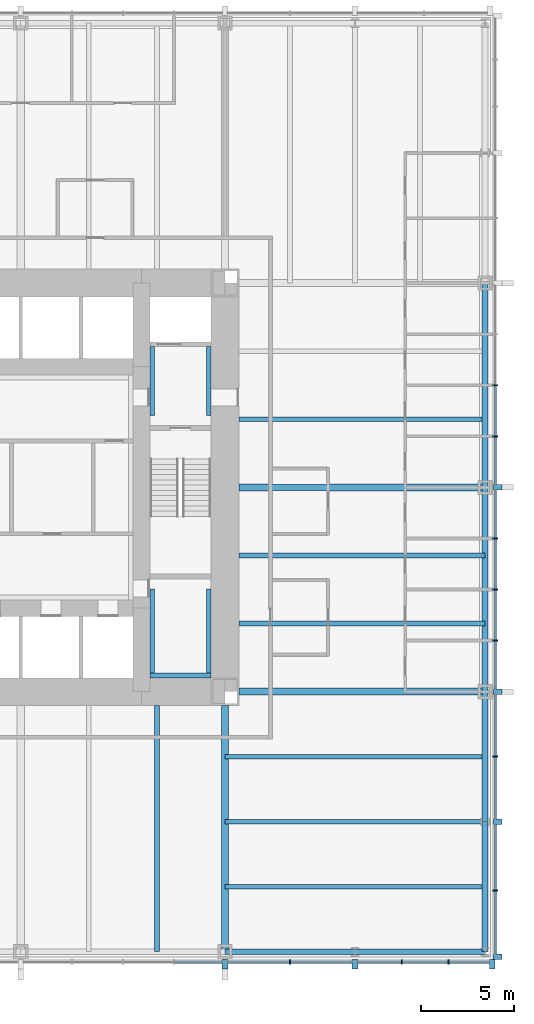
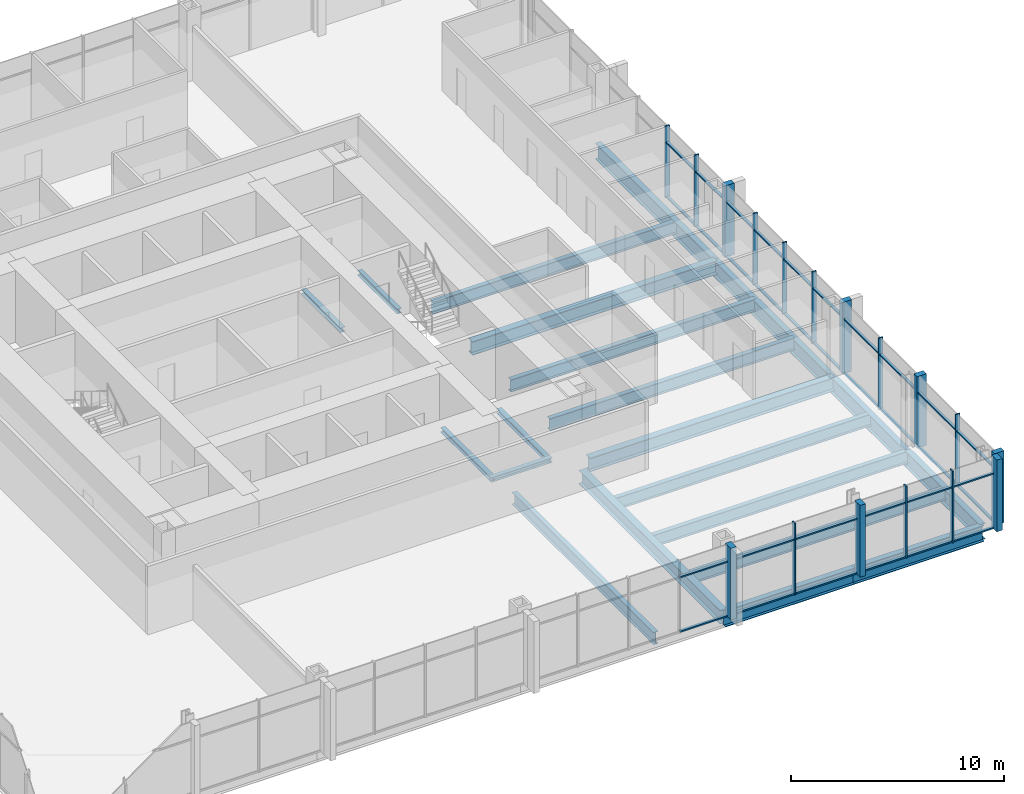
# One storey, part 4 of 12: 49 members, 21 beams, 2 elements without a shape of their own.
"""IFC4 building model written with IfcOpenShell, lengths in metres."""

import ifcopenshell
import ifcopenshell.guid

model = None  # the IFC model being written
_history = None  # IfcOwnerHistory: only IFC2X3 demands one
_inside = {}  # id of a spatial element -> (the spatial element, [elements in it])
_under = {}  # id of a project, library or spatial element -> (it, [spatial elements below it])
_declared = {}  # id of a project -> (the project, [libraries it declares])
_typed = {}  # id of a type object -> (the type object, [elements of that type])
_made_of = {}  # id of a material, layer set ... -> (it, [elements and type objects made of it])


def new_model(schema):
    """Start an empty IFC model of exactly this schema.

    Asked for "IFC4X3", IfcOpenShell would pick the latest addendum, in which some entities
    have other attributes; the version numbers below select the first issue.
    IFC2X3 requires an IfcOwnerHistory on every rooted entity: one is made here for all.
    """
    global model, _history
    if schema == "IFC4X3":
        model = ifcopenshell.file(schema_version=(4, 3, 0, 0))
    else:
        model = ifcopenshell.file(schema=schema)
    _inside.clear()
    _under.clear()
    _declared.clear()
    _typed.clear()
    _made_of.clear()
    _history = None
    if model.schema == "IFC2X3":
        org = make("IfcOrganization", Name="unknown")
        user = make(
            "IfcPersonAndOrganization",
            ThePerson=make("IfcPerson", FamilyName="unknown"),
            TheOrganization=org,
        )
        app = make(
            "IfcApplication",
            ApplicationDeveloper=org,
            Version="unknown",
            ApplicationFullName="unknown",
            ApplicationIdentifier="unknown",
        )
        _history = make(
            "IfcOwnerHistory",
            OwningUser=user,
            OwningApplication=app,
            ChangeAction="ADDED",
            CreationDate=0,
        )
    return model


def make(cls, **values):
    """One entity of the class cls with the attributes given. An attribute that is None is left unset."""
    return model.create_entity(
        cls, **{name: value for name, value in values.items() if value is not None}
    )


def rooted(cls, **values):
    """An entity with a GlobalId (a new one), such as an element, a storey or a relation."""
    return make(cls, GlobalId=ifcopenshell.guid.new(), OwnerHistory=_history, **values)


def si_unit(unit_type, name, prefix=None):
    """IfcSIUnit, for example si_unit("LENGTHUNIT", "METRE", prefix="MILLI")."""
    return make("IfcSIUnit", UnitType=unit_type, Prefix=prefix, Name=name)


def assignment(units):
    """IfcUnitAssignment: the units of a project."""
    return None if units is None else make("IfcUnitAssignment", Units=units)


def point(xyz):
    """IfcCartesianPoint."""
    return None if xyz is None else make("IfcCartesianPoint", Coordinates=xyz)


def direction(xyz):
    """IfcDirection."""
    return None if xyz is None else make("IfcDirection", DirectionRatios=xyz)


def frame(location, z_axis=None, x_axis=None):
    """IfcAxis2Placement3D, a coordinate frame: its origin and axes. An axis left out is left unset."""
    return make(
        "IfcAxis2Placement3D",
        Location=point(location),
        Axis=direction(z_axis),
        RefDirection=direction(x_axis),
    )


def frame_2d(location, x_axis=None):
    """IfcAxis2Placement2D, a coordinate frame in the plane: its origin and x axis."""
    return make(
        "IfcAxis2Placement2D", Location=point(location), RefDirection=direction(x_axis)
    )


def origin():
    """The frame at (0, 0, 0) with its axes left unset."""
    return frame((0.0, 0.0, 0.0))


def origin_2d():
    """The frame at (0, 0) in the plane with its x axis left unset."""
    return frame_2d((0.0, 0.0))


def place(relative_to, where):
    """IfcLocalPlacement: puts the frame where relative to a parent placement (None: the world)."""
    return make(
        "IfcLocalPlacement", PlacementRelTo=relative_to, RelativePlacement=where
    )


def context(
    kind, dimensions, precision=None, world=None, true_north=None, identifier=None
):
    """IfcGeometricRepresentationContext, for example the 3D "Model" context."""
    return make(
        "IfcGeometricRepresentationContext",
        ContextIdentifier=identifier,
        ContextType=kind,
        CoordinateSpaceDimension=dimensions,
        Precision=precision,
        WorldCoordinateSystem=world,
        TrueNorth=true_north,
    )


def subcontext(parent, identifier, kind, view, scale=None):
    """IfcGeometricRepresentationSubContext, for example "Body" below "Model"."""
    return make(
        "IfcGeometricRepresentationSubContext",
        ContextIdentifier=identifier,
        ContextType=kind,
        ParentContext=parent,
        TargetScale=scale,
        TargetView=view,
    )


def project(units=None, contexts=None):
    """IfcProject with its units and contexts."""
    return rooted(
        "IfcProject",
        Name="project",
        RepresentationContexts=contexts,
        UnitsInContext=assignment(units),
    )


def spatial(cls, under=None, at=None, **own):
    """A site, building, storey or space (cls), placed at a placement, below another one or the project."""
    s = rooted(cls, ObjectPlacement=at, **own)
    if under is not None:
        _under.setdefault(under.id(), (under, []))[1].append(s)
    return s


def profile(cls, at=None, kind="AREA", **sizes):
    """A parametric profile (cls). Its sizes go by their IFC names, for example OverallWidth=200.0."""
    return make(cls, ProfileType=kind, Position=at, **sizes)


def rectangle(**sizes):
    """IfcRectangleProfileDef."""
    return profile("IfcRectangleProfileDef", **sizes)


def i_section(**sizes):
    """IfcIShapeProfileDef."""
    return profile("IfcIShapeProfileDef", **sizes)


def extrude(swept, where, along, depth):
    """IfcExtrudedAreaSolid: the profile swept, set in the frame where, extruded along a direction by depth."""
    return make(
        "IfcExtrudedAreaSolid",
        SweptArea=swept,
        Position=where,
        ExtrudedDirection=direction(along),
        Depth=depth,
    )


def shape(context_of_items, identifier, shape_type, items):
    """IfcShapeRepresentation: the items that make up one representation, for example the "Body"."""
    return make(
        "IfcShapeRepresentation",
        ContextOfItems=context_of_items,
        RepresentationIdentifier=identifier,
        RepresentationType=shape_type,
        Items=items,
    )


def material(Name=None, Category=None):
    """IfcMaterial."""
    return make("IfcMaterial", Name=Name, Category=Category)


def material_profile(
    of_material, cross_section, Name=None, Category=None, Priority=None
):
    """IfcMaterialProfile: a cross section and its material."""
    return make(
        "IfcMaterialProfile",
        Name=Name,
        Material=of_material,
        Profile=cross_section,
        Priority=Priority,
        Category=Category,
    )


def profile_set(profiles, Name=None, composite=None):
    """IfcMaterialProfileSet."""
    return make(
        "IfcMaterialProfileSet",
        Name=Name,
        MaterialProfiles=profiles,
        CompositeProfile=composite,
    )


def made_of(thing, what):
    """Note that an element or type object is made of a material, layer set ...; save() writes the relation."""
    if what is not None:
        _made_of.setdefault(what.id(), (what, []))[1].append(thing)
    return thing


def type_object(cls, material=None, **own):
    """A type object (cls), such as IfcWallType, which elements share."""
    return made_of(rooted(cls, **own), material)


def element(
    cls,
    number,
    at=None,
    inside=None,
    cuts=None,
    type_object=None,
    material=None,
    context=None,
    identifier="Body",
    shape_type=None,
    held_by="IfcProductDefinitionShape",
    body=None,
    shapes=None,
    **own,
):
    """One element of the class cls, such as IfcWall. Its Tag is "e" and its number.

    at: its placement. inside: the storey or other place that contains it. cuts: it is an
    opening in that element (IfcRelVoidsElement). A single representation is given by context,
    identifier, shape_type and body (its items); several are given by shapes. held_by: the class
    of the entity that holds the representations. save() writes the other relations.
    """
    e = rooted(cls, Tag="e%d" % number, ObjectPlacement=at, **own)
    if body is not None:
        shapes = [shape(context, identifier, shape_type, body)]
    if shapes is not None:
        e.Representation = make(held_by, Representations=shapes)
    if inside is not None:
        _inside.setdefault(inside.id(), (inside, []))[1].append(e)
    if cuts is not None:
        rooted(
            "IfcRelVoidsElement", RelatingBuildingElement=cuts, RelatedOpeningElement=e
        )
    if type_object is not None:
        _typed.setdefault(type_object.id(), (type_object, []))[1].append(e)
    return made_of(e, material)


def aggregate(whole, parts):
    """IfcRelAggregates: a whole, such as a stair, and the parts it consists of."""
    return rooted("IfcRelAggregates", RelatingObject=whole, RelatedObjects=parts)


def save(model, path):
    """Write the relations noted so far, then the file.

    IfcRelAggregates (storeys below a building ...), IfcRelContainedInSpatialStructure (elements
    in a storey), IfcRelDefinesByType, IfcRelAssociatesMaterial and IfcRelDeclares: one each for
    every whole, place, type object, material and project.
    """
    for whole, parts in _under.values():
        aggregate(whole, parts)
    for where, things in _inside.values():
        rooted(
            "IfcRelContainedInSpatialStructure",
            RelatedElements=things,
            RelatingStructure=where,
        )
    for kind, things in _typed.values():
        rooted("IfcRelDefinesByType", RelatedObjects=things, RelatingType=kind)
    for what, things in _made_of.values():
        rooted("IfcRelAssociatesMaterial", RelatedObjects=things, RelatingMaterial=what)
    for by, libraries in _declared.values():
        rooted("IfcRelDeclares", RelatingContext=by, RelatedDefinitions=libraries)
    model.write(path)


model = new_model("IFC4")

# Units and contexts
model_context = context("Model", 3, precision=1e-05, world=origin(), true_north=direction((0.0, 1.0)))
body_context = subcontext(model_context, "Body", "Model", "MODEL_VIEW")
ifc_project = project(units=[si_unit("LENGTHUNIT", "METRE"), si_unit("AREAUNIT", "SQUARE_METRE"), si_unit("VOLUMEUNIT", "CUBIC_METRE"), si_unit("PLANEANGLEUNIT", "RADIAN"), si_unit("MASSUNIT", "GRAM", prefix="KILO")], contexts=[model_context])

# Site, building, storey
site_placement = place(None, origin())
site = spatial("IfcSite", under=ifc_project, at=site_placement, CompositionType="ELEMENT")
building_placement = place(site_placement, origin())
building = spatial("IfcBuilding", under=site, at=building_placement, Name="Trevanion Tower", CompositionType="ELEMENT")
storey_placement = place(building_placement, frame((0.0, 0.0, 48.800048828125)))
storey = spatial("IfcBuildingStorey", under=building, at=storey_placement, Name="L11", CompositionType="ELEMENT", Elevation=48.800048828125)

# Beams
ifc_material_1 = material(Name="Steel ASTM A992 Grade 50", Category="steel")
ifc_material_profile_1 = material_profile(ifc_material_1, i_section(OverallWidth=0.25390625, OverallDepth=0.700927734375, WebThickness=0.015380859375, FlangeThickness=0.02783203125, at=origin_2d()), Name="W27X129")
ifc_profile_set_1 = profile_set([ifc_material_profile_1], Name="Steel ASTM A992 Grade 50")
beam_type_1 = type_object("IfcBeamType", Name="B3 W27X129", PredefinedType="BEAM", material=ifc_profile_set_1)
for number, where, z_axis, x_axis, name in (
    (1, (11.75, -7.333251953125, -0.54052734375), (1.0, 0.0, 0.0), (0.0, 1.0, 0.0), "B3 L11"),
    (2, (11.75, -3.666748046875, -0.54052734375), (1.0, 0.0, 0.0), (0.0, 1.0, 0.0), "B3 L11"),
    (3, (11.75, 3.666748046875, -0.54052734375), (1.0, 0.0, 0.0), (0.0, 1.0, 0.0), "B3 L11"),
    (4, (7.333251953125, -11.75, -0.54052734375), (0.0, -1.0, 0.0), (1.0, 0.0, 0.0), "B3 L11"),
):
    element("IfcBeam", number, at=place(storey_placement, frame(where, z_axis=z_axis, x_axis=x_axis)), inside=storey, type_object=beam_type_1, Name=name, PredefinedType="BEAM", context=body_context, shape_type="SweptSolid", body=[
        extrude(i_section(OverallWidth=0.25390625, OverallDepth=0.700927734375, WebThickness=0.015380859375, FlangeThickness=0.02783203125, at=origin_2d()), origin(), (0.0, 0.0, 1.0), 13.25),
    ])
ifc_material_2 = material(Name="Steel ASTM A992 Grade 50", Category="steel")
ifc_material_profile_2 = material_profile(ifc_material_2, i_section(OverallWidth=0.256591796875, OverallDepth=0.693359375, WebThickness=0.014404296875, FlangeThickness=0.023681640625, at=origin_2d()), Name="W27X114")
ifc_profile_set_2 = profile_set([ifc_material_profile_2], Name="Steel ASTM A992 Grade 50")
beam_type_2 = type_object("IfcBeamType", Name="B4 W27X114", PredefinedType="BEAM", material=ifc_profile_set_2)
for number, where, z_axis, x_axis, name in (
    (5, (11.0, -14.5, -0.536865234375), (1.0, 0.0, 0.0), (0.0, 1.0, 0.0), "B4 L11"),
    (6, (11.0, -18.0, -0.536865234375), (1.0, 0.0, 0.0), (0.0, 1.0, 0.0), "B4 L11"),
    (7, (11.0, -21.5, -0.536865234375), (1.0, 0.0, 0.0), (0.0, 1.0, 0.0), "B4 L11"),
):
    element("IfcBeam", number, at=place(storey_placement, frame(where, z_axis=z_axis, x_axis=x_axis)), inside=storey, type_object=beam_type_2, Name=name, PredefinedType="BEAM", context=body_context, shape_type="SweptSolid", body=[
        extrude(i_section(OverallWidth=0.256591796875, OverallDepth=0.693359375, WebThickness=0.014404296875, FlangeThickness=0.023681640625, at=origin_2d()), origin(), (0.0, 0.0, 1.0), 14.0),
    ])

# Curtain wall, members
ifc_material_3 = material(Name="Aluminium and glass", Category="aluminium")
curtain_wall_type = type_object("IfcCurtainWallType", Name="CW1 curtain wall", PredefinedType="USERDEFINED", material=ifc_material_3)
curtain_wall_1_placement = place(storey_placement, origin())
curtain_wall_1 = element("IfcCurtainWall", 8, at=curtain_wall_1_placement, inside=storey, type_object=curtain_wall_type, Name="CW1 L11 0", ObjectType="UNITISED CURTAIN WALL", PredefinedType="USERDEFINED")
ifc_material_4 = material(Name="Aluminium extrusion, anodised bronze", Category="aluminium")
ifc_material_profile_3 = material_profile(ifc_material_4, rectangle(XDim=0.074951171875, YDim=0.25, at=origin_2d()), Name="CW1 mullion")
ifc_profile_set_3 = profile_set([ifc_material_profile_3], Name="Aluminium extrusion, anodised bronze")
member_type_1 = type_object("IfcMemberType", Name="CW1 mullion", PredefinedType="MULLION", material=ifc_profile_set_3)
member_1_placement = place(storey_placement, frame((25.550048828125, -21.7099609375, -0.18994140625), z_axis=(0.0, 0.0, 1.0), x_axis=(0.0, 1.0, 0.0)))
member_1 = element("IfcMember", 9, at=member_1_placement, type_object=member_type_1, Name="CW1 mullion 2", PredefinedType="MULLION", context=body_context, shape_type="SweptSolid", body=[
    extrude(rectangle(XDim=0.074951171875, YDim=0.25, at=origin_2d()), origin(), (0.0, 0.0, 1.0), 4.099853515625),
])
member_2_placement = place(storey_placement, frame((25.550048828125, -14.5, -0.18994140625), z_axis=(0.0, 0.0, 1.0), x_axis=(0.0, 1.0, 0.0)))
member_2 = element("IfcMember", 10, at=member_2_placement, type_object=member_type_1, Name="CW1 mullion 4", PredefinedType="MULLION", context=body_context, shape_type="SweptSolid", body=[
    extrude(rectangle(XDim=0.074951171875, YDim=0.25, at=origin_2d()), origin(), (0.0, 0.0, 1.0), 4.099853515625),
])
member_3_placement = place(storey_placement, frame((25.550048828125, -8.25, -0.18994140625), z_axis=(0.0, 0.0, 1.0), x_axis=(0.0, 1.0, 0.0)))
member_3 = element("IfcMember", 11, at=member_3_placement, type_object=member_type_1, Name="CW1 mullion 6", PredefinedType="MULLION", context=body_context, shape_type="SweptSolid", body=[
    extrude(rectangle(XDim=0.074951171875, YDim=0.25, at=origin_2d()), origin(), (0.0, 0.0, 1.0), 4.099853515625),
])
member_4_placement = place(storey_placement, frame((25.550048828125, -5.5, -0.18994140625), z_axis=(0.0, 0.0, 1.0), x_axis=(0.0, 1.0, 0.0)))
member_4 = element("IfcMember", 12, at=member_4_placement, type_object=member_type_1, Name="CW1 mullion 7", PredefinedType="MULLION", context=body_context, shape_type="SweptSolid", body=[
    extrude(rectangle(XDim=0.074951171875, YDim=0.25, at=origin_2d()), origin(), (0.0, 0.0, 1.0), 4.099853515625),
])
member_5_placement = place(storey_placement, frame((25.550048828125, -2.75, -0.18994140625), z_axis=(0.0, 0.0, 1.0), x_axis=(0.0, 1.0, 0.0)))
member_5 = element("IfcMember", 13, at=member_5_placement, type_object=member_type_1, Name="CW1 mullion 8", PredefinedType="MULLION", context=body_context, shape_type="SweptSolid", body=[
    extrude(rectangle(XDim=0.074951171875, YDim=0.25, at=origin_2d()), origin(), (0.0, 0.0, 1.0), 4.099853515625),
])
member_6_placement = place(storey_placement, frame((25.550048828125, 2.75, -0.18994140625), z_axis=(0.0, 0.0, 1.0), x_axis=(0.0, 1.0, 0.0)))
member_6 = element("IfcMember", 14, at=member_6_placement, type_object=member_type_1, Name="CW1 mullion 10", PredefinedType="MULLION", context=body_context, shape_type="SweptSolid", body=[
    extrude(rectangle(XDim=0.074951171875, YDim=0.25, at=origin_2d()), origin(), (0.0, 0.0, 1.0), 4.099853515625),
])
member_7_placement = place(storey_placement, frame((25.550048828125, 5.5, -0.18994140625), z_axis=(0.0, 0.0, 1.0), x_axis=(0.0, 1.0, 0.0)))
member_7 = element("IfcMember", 15, at=member_7_placement, type_object=member_type_1, Name="CW1 mullion 11", PredefinedType="MULLION", context=body_context, shape_type="SweptSolid", body=[
    extrude(rectangle(XDim=0.074951171875, YDim=0.25, at=origin_2d()), origin(), (0.0, 0.0, 1.0), 4.099853515625),
])

curtain_wall_2_placement = place(storey_placement, origin())
curtain_wall_2 = element("IfcCurtainWall", 16, at=curtain_wall_2_placement, inside=storey, type_object=curtain_wall_type, Name="CW1 L11 3", ObjectType="UNITISED CURTAIN WALL", PredefinedType="USERDEFINED")
member_8_placement = place(storey_placement, frame((14.5, -25.550048828125, -0.18994140625), z_axis=(0.0, 0.0, 1.0), x_axis=(1.0, 0.0, 0.0)))
member_8 = element("IfcMember", 17, at=member_8_placement, type_object=member_type_1, Name="CW1 mullion 14", PredefinedType="MULLION", context=body_context, shape_type="SweptSolid", body=[
    extrude(rectangle(XDim=0.074951171875, YDim=0.25, at=origin_2d()), origin(), (0.0, 0.0, 1.0), 4.099853515625),
])
member_9_placement = place(storey_placement, frame((20.5166015625, -25.550048828125, -0.18994140625), z_axis=(0.0, 0.0, 1.0), x_axis=(1.0, 0.0, 0.0)))
member_9 = element("IfcMember", 18, at=member_9_placement, type_object=member_type_1, Name="CW1 mullion 16", PredefinedType="MULLION", context=body_context, shape_type="SweptSolid", body=[
    extrude(rectangle(XDim=0.074951171875, YDim=0.25, at=origin_2d()), origin(), (0.0, 0.0, 1.0), 4.099853515625),
])
member_10_placement = place(storey_placement, frame((23.033203125, -25.550048828125, -0.18994140625), z_axis=(0.0, 0.0, 1.0), x_axis=(1.0, 0.0, 0.0)))
member_10 = element("IfcMember", 19, at=member_10_placement, type_object=member_type_1, Name="CW1 mullion 17", PredefinedType="MULLION", context=body_context, shape_type="SweptSolid", body=[
    extrude(rectangle(XDim=0.074951171875, YDim=0.25, at=origin_2d()), origin(), (0.0, 0.0, 1.0), 4.099853515625),
])

# Member
ifc_material_5 = material(Name="Aluminium extrusion, anodised bronze", Category="aluminium")
ifc_material_profile_4 = material_profile(ifc_material_5, rectangle(XDim=0.300048828125, YDim=0.5, at=origin_2d()), Name="CW1 pier mullion")
ifc_profile_set_4 = profile_set([ifc_material_profile_4], Name="Aluminium extrusion, anodised bronze")
member_type_2 = type_object("IfcMemberType", Name="CW1 pier mullion", PredefinedType="MULLION", material=ifc_profile_set_4)
member_11_placement = place(storey_placement, frame((25.675048828125, -25.27001953125, -0.18994140625), z_axis=(0.0, 0.0, 1.0), x_axis=(0.0, 1.0, 0.0)))
member_11 = element("IfcMember", 20, at=member_11_placement, type_object=member_type_2, Name="CW1 pier mullion 1", PredefinedType="MULLION", context=body_context, shape_type="SweptSolid", body=[
    extrude(rectangle(XDim=0.300048828125, YDim=0.5, at=origin_2d()), origin(), (0.0, 0.0, 1.0), 4.099853515625),
])

member_12_placement = place(storey_placement, frame((25.675048828125, -18.0, -0.18994140625), z_axis=(0.0, 0.0, 1.0), x_axis=(0.0, 1.0, 0.0)))
member_12 = element("IfcMember", 21, at=member_12_placement, type_object=member_type_2, Name="CW1 pier mullion 3", PredefinedType="MULLION", context=body_context, shape_type="SweptSolid", body=[
    extrude(rectangle(XDim=0.300048828125, YDim=0.5, at=origin_2d()), origin(), (0.0, 0.0, 1.0), 4.099853515625),
])

member_13_placement = place(storey_placement, frame((25.675048828125, -11.0, -0.18994140625), z_axis=(0.0, 0.0, 1.0), x_axis=(0.0, 1.0, 0.0)))
member_13 = element("IfcMember", 22, at=member_13_placement, type_object=member_type_2, Name="CW1 pier mullion 5", PredefinedType="MULLION", context=body_context, shape_type="SweptSolid", body=[
    extrude(rectangle(XDim=0.300048828125, YDim=0.5, at=origin_2d()), origin(), (0.0, 0.0, 1.0), 4.099853515625),
])

member_14_placement = place(storey_placement, frame((25.675048828125, 0.0, -0.18994140625), z_axis=(0.0, 0.0, 1.0), x_axis=(0.0, 1.0, 0.0)))
member_14 = element("IfcMember", 23, at=member_14_placement, type_object=member_type_2, Name="CW1 pier mullion 9", PredefinedType="MULLION", context=body_context, shape_type="SweptSolid", body=[
    extrude(rectangle(XDim=0.300048828125, YDim=0.5, at=origin_2d()), origin(), (0.0, 0.0, 1.0), 4.099853515625),
])

member_15_placement = place(storey_placement, frame((11.0, -25.675048828125, -0.18994140625), z_axis=(0.0, 0.0, 1.0), x_axis=(1.0, 0.0, 0.0)))
member_15 = element("IfcMember", 24, at=member_15_placement, type_object=member_type_2, Name="CW1 pier mullion 13", PredefinedType="MULLION", context=body_context, shape_type="SweptSolid", body=[
    extrude(rectangle(XDim=0.300048828125, YDim=0.5, at=origin_2d()), origin(), (0.0, 0.0, 1.0), 4.099853515625),
])

member_16_placement = place(storey_placement, frame((18.0, -25.675048828125, -0.18994140625), z_axis=(0.0, 0.0, 1.0), x_axis=(1.0, 0.0, 0.0)))
member_16 = element("IfcMember", 25, at=member_16_placement, type_object=member_type_2, Name="CW1 pier mullion 15", PredefinedType="MULLION", context=body_context, shape_type="SweptSolid", body=[
    extrude(rectangle(XDim=0.300048828125, YDim=0.5, at=origin_2d()), origin(), (0.0, 0.0, 1.0), 4.099853515625),
])

member_17_placement = place(storey_placement, frame((25.39990234375, -25.675048828125, -0.18994140625), z_axis=(0.0, 0.0, 1.0), x_axis=(1.0, 0.0, 0.0)))
member_17 = element("IfcMember", 26, at=member_17_placement, type_object=member_type_2, Name="CW1 pier mullion 18", PredefinedType="MULLION", context=body_context, shape_type="SweptSolid", body=[
    extrude(rectangle(XDim=0.300048828125, YDim=0.5, at=origin_2d()), origin(), (0.0, 0.0, 1.0), 4.099853515625),
])

ifc_material_6 = material(Name="Aluminium extrusion, anodised bronze", Category="aluminium")
ifc_material_profile_5 = material_profile(ifc_material_6, rectangle(XDim=0.14990234375, YDim=0.074951171875, at=origin_2d()), Name="CW1 transom")
ifc_profile_set_5 = profile_set([ifc_material_profile_5], Name="Aluminium extrusion, anodised bronze")
member_type_3 = type_object("IfcMemberType", Name="CW1 transom", PredefinedType="USERDEFINED", material=ifc_profile_set_5)
member_18_placement = place(storey_placement, frame((25.550048828125, -25.1201171875, -0.152587890625), z_axis=(0.0, 1.0, 0.0), x_axis=(-1.0, 0.0, 0.0)))
member_18 = element("IfcMember", 27, at=member_18_placement, type_object=member_type_3, Name="CW1 transom 1.1", ObjectType="TRANSOM", PredefinedType="USERDEFINED", context=body_context, shape_type="SweptSolid", body=[
    extrude(rectangle(XDim=0.14990234375, YDim=0.074951171875, at=origin_2d()), origin(), (0.0, 0.0, 1.0), 3.37255859375),
])

member_19_placement = place(storey_placement, frame((25.550048828125, -25.1201171875, 2.9599609375), z_axis=(0.0, 1.0, 0.0), x_axis=(-1.0, 0.0, 0.0)))
member_19 = element("IfcMember", 28, at=member_19_placement, type_object=member_type_3, Name="CW1 transom 1.2", ObjectType="TRANSOM", PredefinedType="USERDEFINED", context=body_context, shape_type="SweptSolid", body=[
    extrude(rectangle(XDim=0.14990234375, YDim=0.074951171875, at=origin_2d()), origin(), (0.0, 0.0, 1.0), 3.37255859375),
])

member_20_placement = place(storey_placement, frame((25.550048828125, -21.672607421875, -0.152587890625), z_axis=(0.0, 1.0, 0.0), x_axis=(-1.0, 0.0, 0.0)))
member_20 = element("IfcMember", 29, at=member_20_placement, type_object=member_type_3, Name="CW1 transom 2.1", ObjectType="TRANSOM", PredefinedType="USERDEFINED", context=body_context, shape_type="SweptSolid", body=[
    extrude(rectangle(XDim=0.14990234375, YDim=0.074951171875, at=origin_2d()), origin(), (0.0, 0.0, 1.0), 3.522705078125),
])

member_21_placement = place(storey_placement, frame((25.550048828125, -21.672607421875, 2.9599609375), z_axis=(0.0, 1.0, 0.0), x_axis=(-1.0, 0.0, 0.0)))
member_21 = element("IfcMember", 30, at=member_21_placement, type_object=member_type_3, Name="CW1 transom 2.2", ObjectType="TRANSOM", PredefinedType="USERDEFINED", context=body_context, shape_type="SweptSolid", body=[
    extrude(rectangle(XDim=0.14990234375, YDim=0.074951171875, at=origin_2d()), origin(), (0.0, 0.0, 1.0), 3.522705078125),
])

member_22_placement = place(storey_placement, frame((25.550048828125, -17.85009765625, -0.152587890625), z_axis=(0.0, 1.0, 0.0), x_axis=(-1.0, 0.0, 0.0)))
member_22 = element("IfcMember", 31, at=member_22_placement, type_object=member_type_3, Name="CW1 transom 3.1", ObjectType="TRANSOM", PredefinedType="USERDEFINED", context=body_context, shape_type="SweptSolid", body=[
    extrude(rectangle(XDim=0.14990234375, YDim=0.074951171875, at=origin_2d()), origin(), (0.0, 0.0, 1.0), 3.3125),
])

member_23_placement = place(storey_placement, frame((25.550048828125, -17.85009765625, 2.9599609375), z_axis=(0.0, 1.0, 0.0), x_axis=(-1.0, 0.0, 0.0)))
member_23 = element("IfcMember", 32, at=member_23_placement, type_object=member_type_3, Name="CW1 transom 3.2", ObjectType="TRANSOM", PredefinedType="USERDEFINED", context=body_context, shape_type="SweptSolid", body=[
    extrude(rectangle(XDim=0.14990234375, YDim=0.074951171875, at=origin_2d()), origin(), (0.0, 0.0, 1.0), 3.3125),
])

member_24_placement = place(storey_placement, frame((25.550048828125, -14.46240234375, -0.152587890625), z_axis=(0.0, 1.0, 0.0), x_axis=(-1.0, 0.0, 0.0)))
member_24 = element("IfcMember", 33, at=member_24_placement, type_object=member_type_3, Name="CW1 transom 4.1", ObjectType="TRANSOM", PredefinedType="USERDEFINED", context=body_context, shape_type="SweptSolid", body=[
    extrude(rectangle(XDim=0.14990234375, YDim=0.074951171875, at=origin_2d()), origin(), (0.0, 0.0, 1.0), 3.3125),
])

member_25_placement = place(storey_placement, frame((25.550048828125, -14.46240234375, 2.9599609375), z_axis=(0.0, 1.0, 0.0), x_axis=(-1.0, 0.0, 0.0)))
member_25 = element("IfcMember", 34, at=member_25_placement, type_object=member_type_3, Name="CW1 transom 4.2", ObjectType="TRANSOM", PredefinedType="USERDEFINED", context=body_context, shape_type="SweptSolid", body=[
    extrude(rectangle(XDim=0.14990234375, YDim=0.074951171875, at=origin_2d()), origin(), (0.0, 0.0, 1.0), 3.3125),
])

member_26_placement = place(storey_placement, frame((25.550048828125, -10.85009765625, -0.152587890625), z_axis=(0.0, 1.0, 0.0), x_axis=(-1.0, 0.0, 0.0)))
member_26 = element("IfcMember", 35, at=member_26_placement, type_object=member_type_3, Name="CW1 transom 5.1", ObjectType="TRANSOM", PredefinedType="USERDEFINED", context=body_context, shape_type="SweptSolid", body=[
    extrude(rectangle(XDim=0.14990234375, YDim=0.074951171875, at=origin_2d()), origin(), (0.0, 0.0, 1.0), 2.5625),
])

member_27_placement = place(storey_placement, frame((25.550048828125, -10.85009765625, 2.9599609375), z_axis=(0.0, 1.0, 0.0), x_axis=(-1.0, 0.0, 0.0)))
member_27 = element("IfcMember", 36, at=member_27_placement, type_object=member_type_3, Name="CW1 transom 5.2", ObjectType="TRANSOM", PredefinedType="USERDEFINED", context=body_context, shape_type="SweptSolid", body=[
    extrude(rectangle(XDim=0.14990234375, YDim=0.074951171875, at=origin_2d()), origin(), (0.0, 0.0, 1.0), 2.5625),
])

member_28_placement = place(storey_placement, frame((25.550048828125, -8.21240234375, -0.152587890625), z_axis=(0.0, 1.0, 0.0), x_axis=(-1.0, 0.0, 0.0)))
member_28 = element("IfcMember", 37, at=member_28_placement, type_object=member_type_3, Name="CW1 transom 6.1", ObjectType="TRANSOM", PredefinedType="USERDEFINED", context=body_context, shape_type="SweptSolid", body=[
    extrude(rectangle(XDim=0.14990234375, YDim=0.074951171875, at=origin_2d()), origin(), (0.0, 0.0, 1.0), 2.6748046875),
])

member_29_placement = place(storey_placement, frame((25.550048828125, -8.21240234375, 2.9599609375), z_axis=(0.0, 1.0, 0.0), x_axis=(-1.0, 0.0, 0.0)))
member_29 = element("IfcMember", 38, at=member_29_placement, type_object=member_type_3, Name="CW1 transom 6.2", ObjectType="TRANSOM", PredefinedType="USERDEFINED", context=body_context, shape_type="SweptSolid", body=[
    extrude(rectangle(XDim=0.14990234375, YDim=0.074951171875, at=origin_2d()), origin(), (0.0, 0.0, 1.0), 2.6748046875),
])

member_30_placement = place(storey_placement, frame((25.550048828125, -5.46240234375, -0.152587890625), z_axis=(0.0, 1.0, 0.0), x_axis=(-1.0, 0.0, 0.0)))
member_30 = element("IfcMember", 39, at=member_30_placement, type_object=member_type_3, Name="CW1 transom 7.1", ObjectType="TRANSOM", PredefinedType="USERDEFINED", context=body_context, shape_type="SweptSolid", body=[
    extrude(rectangle(XDim=0.14990234375, YDim=0.074951171875, at=origin_2d()), origin(), (0.0, 0.0, 1.0), 2.6748046875),
])

member_31_placement = place(storey_placement, frame((25.550048828125, -5.46240234375, 2.9599609375), z_axis=(0.0, 1.0, 0.0), x_axis=(-1.0, 0.0, 0.0)))
member_31 = element("IfcMember", 40, at=member_31_placement, type_object=member_type_3, Name="CW1 transom 7.2", ObjectType="TRANSOM", PredefinedType="USERDEFINED", context=body_context, shape_type="SweptSolid", body=[
    extrude(rectangle(XDim=0.14990234375, YDim=0.074951171875, at=origin_2d()), origin(), (0.0, 0.0, 1.0), 2.6748046875),
])

member_32_placement = place(storey_placement, frame((25.550048828125, -2.71240234375, -0.152587890625), z_axis=(0.0, 1.0, 0.0), x_axis=(-1.0, 0.0, 0.0)))
member_32 = element("IfcMember", 41, at=member_32_placement, type_object=member_type_3, Name="CW1 transom 8.1", ObjectType="TRANSOM", PredefinedType="USERDEFINED", context=body_context, shape_type="SweptSolid", body=[
    extrude(rectangle(XDim=0.14990234375, YDim=0.074951171875, at=origin_2d()), origin(), (0.0, 0.0, 1.0), 2.5625),
])

member_33_placement = place(storey_placement, frame((25.550048828125, -2.71240234375, 2.9599609375), z_axis=(0.0, 1.0, 0.0), x_axis=(-1.0, 0.0, 0.0)))
member_33 = element("IfcMember", 42, at=member_33_placement, type_object=member_type_3, Name="CW1 transom 8.2", ObjectType="TRANSOM", PredefinedType="USERDEFINED", context=body_context, shape_type="SweptSolid", body=[
    extrude(rectangle(XDim=0.14990234375, YDim=0.074951171875, at=origin_2d()), origin(), (0.0, 0.0, 1.0), 2.5625),
])

member_34_placement = place(storey_placement, frame((25.550048828125, 0.14990234375, -0.152587890625), z_axis=(0.0, 1.0, 0.0), x_axis=(-1.0, 0.0, 0.0)))
member_34 = element("IfcMember", 43, at=member_34_placement, type_object=member_type_3, Name="CW1 transom 9.1", ObjectType="TRANSOM", PredefinedType="USERDEFINED", context=body_context, shape_type="SweptSolid", body=[
    extrude(rectangle(XDim=0.14990234375, YDim=0.074951171875, at=origin_2d()), origin(), (0.0, 0.0, 1.0), 2.5625),
])

member_35_placement = place(storey_placement, frame((25.550048828125, 0.14990234375, 2.9599609375), z_axis=(0.0, 1.0, 0.0), x_axis=(-1.0, 0.0, 0.0)))
member_35 = element("IfcMember", 44, at=member_35_placement, type_object=member_type_3, Name="CW1 transom 9.2", ObjectType="TRANSOM", PredefinedType="USERDEFINED", context=body_context, shape_type="SweptSolid", body=[
    extrude(rectangle(XDim=0.14990234375, YDim=0.074951171875, at=origin_2d()), origin(), (0.0, 0.0, 1.0), 2.5625),
])

member_36_placement = place(storey_placement, frame((25.550048828125, 2.78759765625, -0.152587890625), z_axis=(0.0, 1.0, 0.0), x_axis=(-1.0, 0.0, 0.0)))
member_36 = element("IfcMember", 45, at=member_36_placement, type_object=member_type_3, Name="CW1 transom 10.1", ObjectType="TRANSOM", PredefinedType="USERDEFINED", context=body_context, shape_type="SweptSolid", body=[
    extrude(rectangle(XDim=0.14990234375, YDim=0.074951171875, at=origin_2d()), origin(), (0.0, 0.0, 1.0), 2.6748046875),
])

member_37_placement = place(storey_placement, frame((25.550048828125, 2.78759765625, 2.9599609375), z_axis=(0.0, 1.0, 0.0), x_axis=(-1.0, 0.0, 0.0)))
member_37 = element("IfcMember", 46, at=member_37_placement, type_object=member_type_3, Name="CW1 transom 10.2", ObjectType="TRANSOM", PredefinedType="USERDEFINED", context=body_context, shape_type="SweptSolid", body=[
    extrude(rectangle(XDim=0.14990234375, YDim=0.074951171875, at=origin_2d()), origin(), (0.0, 0.0, 1.0), 2.6748046875),
])

aggregate(curtain_wall_1, [member_11, member_1, member_12, member_2, member_13, member_3, member_4, member_5, member_14, member_6, member_7, member_18, member_19, member_20, member_21, member_22, member_23, member_24, member_25, member_26, member_27, member_28, member_29, member_30, member_31, member_32, member_33, member_34, member_35, member_36, member_37])

member_38_placement = place(storey_placement, frame((8.28759765625, -25.550048828125, -0.152587890625), z_axis=(1.0, 0.0, 0.0), x_axis=(0.0, 1.0, 0.0)))
member_38 = element("IfcMember", 47, at=member_38_placement, type_object=member_type_3, Name="CW1 transom 12.1", ObjectType="TRANSOM", PredefinedType="USERDEFINED", context=body_context, shape_type="SweptSolid", body=[
    extrude(rectangle(XDim=0.14990234375, YDim=0.074951171875, at=origin_2d()), origin(), (0.0, 0.0, 1.0), 2.5625),
])

member_39_placement = place(storey_placement, frame((8.28759765625, -25.550048828125, 2.9599609375), z_axis=(1.0, 0.0, 0.0), x_axis=(0.0, 1.0, 0.0)))
member_39 = element("IfcMember", 48, at=member_39_placement, type_object=member_type_3, Name="CW1 transom 12.2", ObjectType="TRANSOM", PredefinedType="USERDEFINED", context=body_context, shape_type="SweptSolid", body=[
    extrude(rectangle(XDim=0.14990234375, YDim=0.074951171875, at=origin_2d()), origin(), (0.0, 0.0, 1.0), 2.5625),
])

member_40_placement = place(storey_placement, frame((11.14990234375, -25.550048828125, -0.152587890625), z_axis=(1.0, 0.0, 0.0), x_axis=(0.0, 1.0, 0.0)))
member_40 = element("IfcMember", 49, at=member_40_placement, type_object=member_type_3, Name="CW1 transom 13.1", ObjectType="TRANSOM", PredefinedType="USERDEFINED", context=body_context, shape_type="SweptSolid", body=[
    extrude(rectangle(XDim=0.14990234375, YDim=0.074951171875, at=origin_2d()), origin(), (0.0, 0.0, 1.0), 3.3125),
])

member_41_placement = place(storey_placement, frame((11.14990234375, -25.550048828125, 2.9599609375), z_axis=(1.0, 0.0, 0.0), x_axis=(0.0, 1.0, 0.0)))
member_41 = element("IfcMember", 50, at=member_41_placement, type_object=member_type_3, Name="CW1 transom 13.2", ObjectType="TRANSOM", PredefinedType="USERDEFINED", context=body_context, shape_type="SweptSolid", body=[
    extrude(rectangle(XDim=0.14990234375, YDim=0.074951171875, at=origin_2d()), origin(), (0.0, 0.0, 1.0), 3.3125),
])

member_42_placement = place(storey_placement, frame((14.53759765625, -25.550048828125, -0.152587890625), z_axis=(1.0, 0.0, 0.0), x_axis=(0.0, 1.0, 0.0)))
member_42 = element("IfcMember", 51, at=member_42_placement, type_object=member_type_3, Name="CW1 transom 14.1", ObjectType="TRANSOM", PredefinedType="USERDEFINED", context=body_context, shape_type="SweptSolid", body=[
    extrude(rectangle(XDim=0.14990234375, YDim=0.074951171875, at=origin_2d()), origin(), (0.0, 0.0, 1.0), 3.3125),
])

member_43_placement = place(storey_placement, frame((14.53759765625, -25.550048828125, 2.9599609375), z_axis=(1.0, 0.0, 0.0), x_axis=(0.0, 1.0, 0.0)))
member_43 = element("IfcMember", 52, at=member_43_placement, type_object=member_type_3, Name="CW1 transom 14.2", ObjectType="TRANSOM", PredefinedType="USERDEFINED", context=body_context, shape_type="SweptSolid", body=[
    extrude(rectangle(XDim=0.14990234375, YDim=0.074951171875, at=origin_2d()), origin(), (0.0, 0.0, 1.0), 3.3125),
])

member_44_placement = place(storey_placement, frame((18.14990234375, -25.550048828125, -0.152587890625), z_axis=(1.0, 0.0, 0.0), x_axis=(0.0, 1.0, 0.0)))
member_44 = element("IfcMember", 53, at=member_44_placement, type_object=member_type_3, Name="CW1 transom 15.1", ObjectType="TRANSOM", PredefinedType="USERDEFINED", context=body_context, shape_type="SweptSolid", body=[
    extrude(rectangle(XDim=0.14990234375, YDim=0.074951171875, at=origin_2d()), origin(), (0.0, 0.0, 1.0), 2.329345703125),
])

member_45_placement = place(storey_placement, frame((18.14990234375, -25.550048828125, 2.9599609375), z_axis=(1.0, 0.0, 0.0), x_axis=(0.0, 1.0, 0.0)))
member_45 = element("IfcMember", 54, at=member_45_placement, type_object=member_type_3, Name="CW1 transom 15.2", ObjectType="TRANSOM", PredefinedType="USERDEFINED", context=body_context, shape_type="SweptSolid", body=[
    extrude(rectangle(XDim=0.14990234375, YDim=0.074951171875, at=origin_2d()), origin(), (0.0, 0.0, 1.0), 2.329345703125),
])

member_46_placement = place(storey_placement, frame((20.55419921875, -25.550048828125, -0.152587890625), z_axis=(1.0, 0.0, 0.0), x_axis=(0.0, 1.0, 0.0)))
member_46 = element("IfcMember", 55, at=member_46_placement, type_object=member_type_3, Name="CW1 transom 16.1", ObjectType="TRANSOM", PredefinedType="USERDEFINED", context=body_context, shape_type="SweptSolid", body=[
    extrude(rectangle(XDim=0.14990234375, YDim=0.074951171875, at=origin_2d()), origin(), (0.0, 0.0, 1.0), 2.441650390625),
])

member_47_placement = place(storey_placement, frame((20.55419921875, -25.550048828125, 2.9599609375), z_axis=(1.0, 0.0, 0.0), x_axis=(0.0, 1.0, 0.0)))
member_47 = element("IfcMember", 56, at=member_47_placement, type_object=member_type_3, Name="CW1 transom 16.2", ObjectType="TRANSOM", PredefinedType="USERDEFINED", context=body_context, shape_type="SweptSolid", body=[
    extrude(rectangle(XDim=0.14990234375, YDim=0.074951171875, at=origin_2d()), origin(), (0.0, 0.0, 1.0), 2.441650390625),
])

member_48_placement = place(storey_placement, frame((23.07080078125, -25.550048828125, -0.152587890625), z_axis=(1.0, 0.0, 0.0), x_axis=(0.0, 1.0, 0.0)))
member_48 = element("IfcMember", 57, at=member_48_placement, type_object=member_type_3, Name="CW1 transom 17.1", ObjectType="TRANSOM", PredefinedType="USERDEFINED", context=body_context, shape_type="SweptSolid", body=[
    extrude(rectangle(XDim=0.14990234375, YDim=0.074951171875, at=origin_2d()), origin(), (0.0, 0.0, 1.0), 2.17919921875),
])

member_49_placement = place(storey_placement, frame((23.07080078125, -25.550048828125, 2.9599609375), z_axis=(1.0, 0.0, 0.0), x_axis=(0.0, 1.0, 0.0)))
member_49 = element("IfcMember", 58, at=member_49_placement, type_object=member_type_3, Name="CW1 transom 17.2", ObjectType="TRANSOM", PredefinedType="USERDEFINED", context=body_context, shape_type="SweptSolid", body=[
    extrude(rectangle(XDim=0.14990234375, YDim=0.074951171875, at=origin_2d()), origin(), (0.0, 0.0, 1.0), 2.17919921875),
])

aggregate(curtain_wall_2, [member_15, member_8, member_16, member_9, member_10, member_17, member_38, member_39, member_40, member_41, member_42, member_43, member_44, member_45, member_46, member_47, member_48, member_49])

# Beams
ifc_material_7 = material(Name="Steel ASTM A992 Grade 50", Category="steel")
ifc_material_profile_6 = material_profile(ifc_material_7, i_section(OverallWidth=0.381103515625, OverallDepth=0.77978515625, WebThickness=0.01806640625, FlangeThickness=0.0302734375, at=origin_2d()), Name="W30X191")
ifc_profile_set_6 = profile_set([ifc_material_profile_6], Name="Steel ASTM A992 Grade 50")
beam_type_3 = type_object("IfcBeamType", Name="G2 W30X191", PredefinedType="BEAM", material=ifc_profile_set_6)
for number, where, z_axis, x_axis, name in (
    (59, (11.75, -11.0, -0.579833984375), (1.0, 0.0, 0.0), (0.0, 1.0, 0.0), "G2 L11"),
    (60, (11.75, 0.0, -0.579833984375), (1.0, 0.0, 0.0), (0.0, 1.0, 0.0), "G2 L11"),
    (61, (11.0, -11.75, -0.579833984375), (0.0, -1.0, 0.0), (1.0, 0.0, 0.0), "G2 L11"),
):
    element("IfcBeam", number, at=place(storey_placement, frame(where, z_axis=z_axis, x_axis=x_axis)), inside=storey, type_object=beam_type_3, Name=name, PredefinedType="BEAM", context=body_context, shape_type="SweptSolid", body=[
        extrude(i_section(OverallWidth=0.381103515625, OverallDepth=0.77978515625, WebThickness=0.01806640625, FlangeThickness=0.0302734375, at=origin_2d()), origin(), (0.0, 0.0, 1.0), 13.25),
    ])
ifc_material_8 = material(Name="Steel ASTM A992 Grade 50", Category="steel")
ifc_material_profile_7 = material_profile(ifc_material_8, i_section(OverallWidth=0.256591796875, OverallDepth=0.26416015625, WebThickness=0.011962890625, FlangeThickness=0.01953125, at=origin_2d()), Name="W10X68")
ifc_profile_set_7 = profile_set([ifc_material_profile_7], Name="Steel ASTM A992 Grade 50")
beam_type_4 = type_object("IfcBeamType", Name="LB1 W10X68", PredefinedType="BEAM", material=ifc_profile_set_7)
for number, where, z_axis, x_axis, name in (
    (62, (7.078369140625, 3.875, -0.33203125), (0.0, 1.0, 0.0), (-1.0, 0.0, 0.0), "LB1 L11"),
    (63, (10.12158203125, 3.875, -0.33203125), (0.0, 1.0, 0.0), (-1.0, 0.0, 0.0), "LB1 L11"),
):
    element("IfcBeam", number, at=place(storey_placement, frame(where, z_axis=z_axis, x_axis=x_axis)), inside=storey, type_object=beam_type_4, Name=name, PredefinedType="BEAM", context=body_context, shape_type="SweptSolid", body=[
        extrude(i_section(OverallWidth=0.256591796875, OverallDepth=0.26416015625, WebThickness=0.011962890625, FlangeThickness=0.01953125, at=origin_2d()), origin(), (0.0, 0.0, 1.0), 3.699951171875),
    ])
for number, where, z_axis, x_axis, name in (
    (64, (7.078369140625, -10.25, -0.33203125), (0.0, 1.0, 0.0), (-1.0, 0.0, 0.0), "LB1 L11"),
    (65, (10.12158203125, -10.25, -0.33203125), (0.0, 1.0, 0.0), (-1.0, 0.0, 0.0), "LB1 L11"),
):
    element("IfcBeam", number, at=place(storey_placement, frame(where, z_axis=z_axis, x_axis=x_axis)), inside=storey, type_object=beam_type_4, Name=name, PredefinedType="BEAM", context=body_context, shape_type="SweptSolid", body=[
        extrude(i_section(OverallWidth=0.256591796875, OverallDepth=0.26416015625, WebThickness=0.011962890625, FlangeThickness=0.01953125, at=origin_2d()), origin(), (0.0, 0.0, 1.0), 4.77490234375),
    ])
beam_placement = place(storey_placement, frame((6.949951171875, -10.12158203125, -0.33203125), z_axis=(1.0, 0.0, 0.0), x_axis=(0.0, 1.0, 0.0)))
element("IfcBeam", 66, at=beam_placement, inside=storey, type_object=beam_type_4, Name="LB1 L11", PredefinedType="BEAM", context=body_context, shape_type="SweptSolid", body=[
    extrude(i_section(OverallWidth=0.256591796875, OverallDepth=0.26416015625, WebThickness=0.011962890625, FlangeThickness=0.01953125, at=origin_2d()), origin(), (0.0, 0.0, 1.0), 3.300048828125),
])
ifc_material_9 = material(Name="Steel ASTM A992 Grade 50", Category="steel")
ifc_material_profile_8 = material_profile(ifc_material_9, i_section(OverallWidth=0.307373046875, OverallDepth=0.927001953125, WebThickness=0.01953125, FlangeThickness=0.031982421875, at=origin_2d()), Name="W36X194")
ifc_profile_set_8 = profile_set([ifc_material_profile_8], Name="Steel ASTM A992 Grade 50")
beam_type_5 = type_object("IfcBeamType", Name="SB2 W36X194", PredefinedType="SPANDREL", material=ifc_profile_set_8)
for number, where, z_axis, x_axis, name in (
    (67, (25.0, -25.0, -0.653564453125), (0.0, 1.0, 0.0), (-1.0, 0.0, 0.0), "SB2 L11"),
    (68, (25.0, -18.0, -0.653564453125), (0.0, 1.0, 0.0), (-1.0, 0.0, 0.0), "SB2 L11"),
):
    element("IfcBeam", number, at=place(storey_placement, frame(where, z_axis=z_axis, x_axis=x_axis)), inside=storey, type_object=beam_type_5, Name=name, PredefinedType="SPANDREL", context=body_context, shape_type="SweptSolid", body=[
        extrude(i_section(OverallWidth=0.307373046875, OverallDepth=0.927001953125, WebThickness=0.01953125, FlangeThickness=0.031982421875, at=origin_2d()), origin(), (0.0, 0.0, 1.0), 7.0),
    ])
for number, where, z_axis, x_axis, name in (
    (69, (25.0, -11.0, -0.653564453125), (0.0, 1.0, 0.0), (-1.0, 0.0, 0.0), "SB2 L11"),
    (70, (25.0, 0.0, -0.653564453125), (0.0, 1.0, 0.0), (-1.0, 0.0, 0.0), "SB2 L11"),
):
    element("IfcBeam", number, at=place(storey_placement, frame(where, z_axis=z_axis, x_axis=x_axis)), inside=storey, type_object=beam_type_5, Name=name, PredefinedType="SPANDREL", context=body_context, shape_type="SweptSolid", body=[
        extrude(i_section(OverallWidth=0.307373046875, OverallDepth=0.927001953125, WebThickness=0.01953125, FlangeThickness=0.031982421875, at=origin_2d()), origin(), (0.0, 0.0, 1.0), 11.0),
    ])
for number, where, z_axis, x_axis, name in (
    (71, (11.0, -25.0, -0.653564453125), (1.0, 0.0, 0.0), (0.0, 1.0, 0.0), "SB2 L11"),
    (72, (18.0, -25.0, -0.653564453125), (1.0, 0.0, 0.0), (0.0, 1.0, 0.0), "SB2 L11"),
):
    element("IfcBeam", number, at=place(storey_placement, frame(where, z_axis=z_axis, x_axis=x_axis)), inside=storey, type_object=beam_type_5, Name=name, PredefinedType="SPANDREL", context=body_context, shape_type="SweptSolid", body=[
        extrude(i_section(OverallWidth=0.307373046875, OverallDepth=0.927001953125, WebThickness=0.01953125, FlangeThickness=0.031982421875, at=origin_2d()), origin(), (0.0, 0.0, 1.0), 7.0),
    ])

save(model, "model.ifc")
